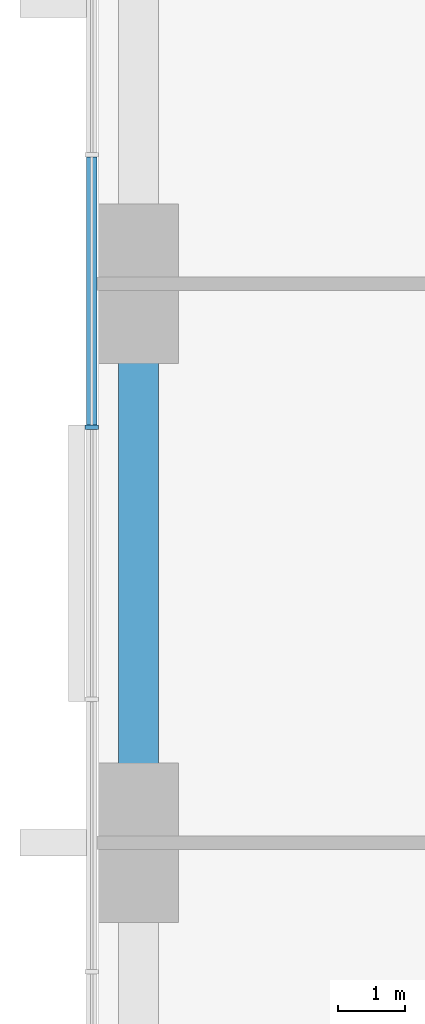
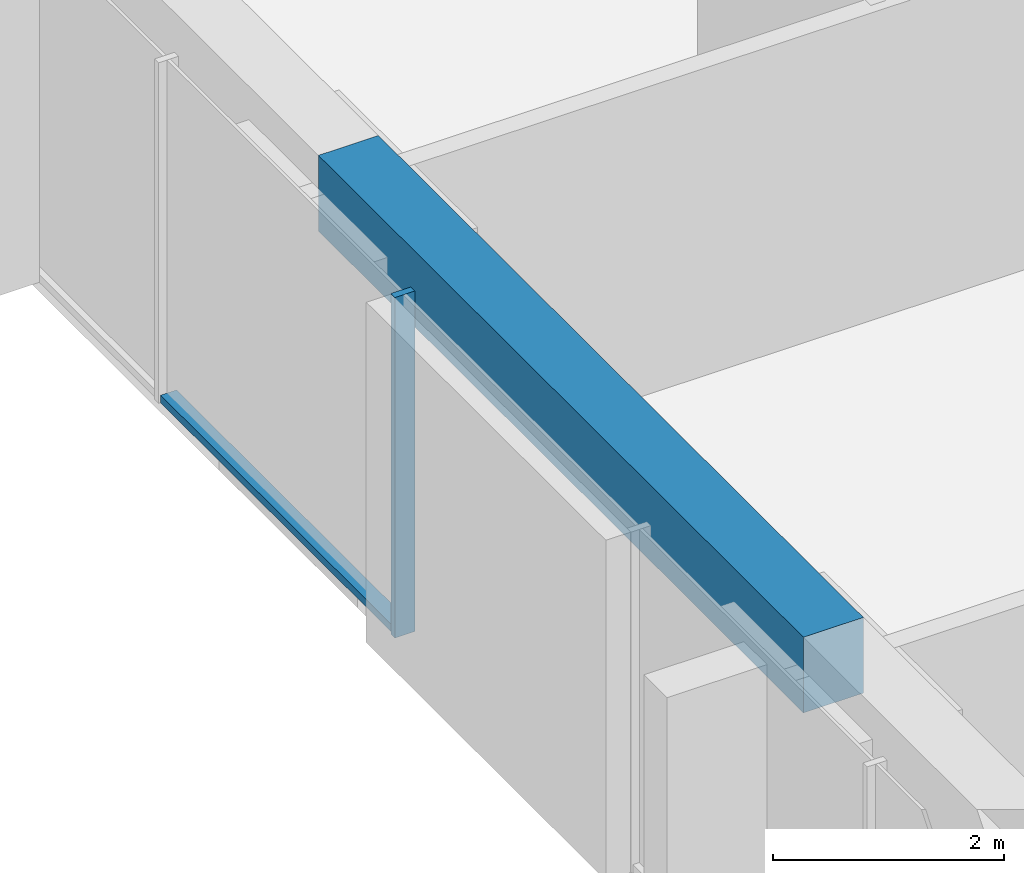
# One storey, part 3 of 13: 2 members, 1 beam, 1 element without a shape of its own.
"""IFC4 building model written with IfcOpenShell, lengths in metres."""

from ifc_helpers import new_model, si_unit, direction, frame, origin, origin_2d, place, context, subcontext, project, spatial, rectangle, extrude, material, material_profile, profile_set, type_object, element, aggregate, save


model = new_model("IFC4")

# Units and contexts
model_context = context("Model", 3, precision=1e-05, world=origin(), true_north=direction((0.0, 1.0)))
body_context = subcontext(model_context, "Body", "Model", "MODEL_VIEW")
ifc_project = project(units=[si_unit("LENGTHUNIT", "METRE"), si_unit("AREAUNIT", "SQUARE_METRE"), si_unit("VOLUMEUNIT", "CUBIC_METRE"), si_unit("PLANEANGLEUNIT", "RADIAN"), si_unit("MASSUNIT", "GRAM", prefix="KILO")], contexts=[model_context])

# Site, building, storey
site_placement = place(None, origin())
site = spatial("IfcSite", under=ifc_project, at=site_placement, CompositionType="ELEMENT")
building_placement = place(site_placement, origin())
building = spatial("IfcBuilding", under=site, at=building_placement, Name="Dunama Terrace Hotel", CompositionType="ELEMENT")
storey_placement = place(building_placement, frame((0.0, 0.0, 187.800048828125)))
storey = spatial("IfcBuildingStorey", under=building, at=storey_placement, Name="L48", CompositionType="ELEMENT", Elevation=187.800048828125)

# Curtain wall, members
ifc_material_1 = material(Name="Aluminium curtain wall system", Category="aluminium")
curtain_wall_type = type_object("IfcCurtainWallType", Name="Unitised fritted glass wall CW-C", PredefinedType="NOTDEFINED", material=ifc_material_1)
curtain_wall_placement = place(storey_placement, origin())
curtain_wall = element("IfcCurtainWall", 1, at=curtain_wall_placement, inside=storey, type_object=curtain_wall_type, Name="Unitised fritted glass wall CW-C L48", PredefinedType="NOTDEFINED")
ifc_material_2 = material(Name="Aluminium mullion", Category="aluminium")
ifc_material_profile_1 = material_profile(ifc_material_2, rectangle(XDim=0.070068359375, YDim=0.199951171875, at=origin_2d()), Name="CWC MULLION 70X200")
ifc_profile_set_1 = profile_set([ifc_material_profile_1], Name="Aluminium mullion")
member_type_1 = type_object("IfcMemberType", Name="CWC mullion 70x200", PredefinedType="MULLION", material=ifc_profile_set_1)
member_1_placement = place(storey_placement, frame((4.10009765625, 31.445068359375, 0.0), z_axis=(0.0, 0.0, 1.0), x_axis=(0.0, -1.0, 0.0)))
member_1 = element("IfcMember", 2, at=member_1_placement, type_object=member_type_1, Name="CWC mullion", PredefinedType="MULLION", context=body_context, shape_type="SweptSolid", body=[
    extrude(rectangle(XDim=0.070068359375, YDim=0.199951171875, at=origin_2d()), origin(), (0.0, 0.0, 1.0), 3.599853515625),
])
ifc_material_3 = material(Name="Aluminium transom", Category="aluminium")
ifc_material_profile_2 = material_profile(ifc_material_3, rectangle(XDim=0.159912109375, YDim=0.080078125, at=origin_2d()), Name="CWC TRANSOM 160X80")
ifc_profile_set_2 = profile_set([ifc_material_profile_2], Name="Aluminium transom")
member_type_2 = type_object("IfcMemberType", Name="CWC transom 160x80", PredefinedType="USERDEFINED", material=ifc_profile_set_2)
member_2_placement = place(storey_placement, frame((4.10009765625, 35.5009765625, 0.0400390625), z_axis=(0.0, -1.0, 0.0), x_axis=(1.0, 0.0, 0.0)))
member_2 = element("IfcMember", 3, at=member_2_placement, type_object=member_type_2, Name="CWC transom", ObjectType="TRANSOM", PredefinedType="USERDEFINED", context=body_context, shape_type="SweptSolid", body=[
    extrude(rectangle(XDim=0.159912109375, YDim=0.080078125, at=origin_2d()), origin(), (0.0, 0.0, 1.0), 4.02099609375),
])
aggregate(curtain_wall, [member_1, member_2])

# Beam
ifc_material_4 = material(Name="Concrete C40/50", Category="concrete")
ifc_material_profile_3 = material_profile(ifc_material_4, rectangle(XDim=0.60009765625, YDim=0.800048828125, at=origin_2d()), Name="RC 600x800")
ifc_profile_set_3 = profile_set([ifc_material_profile_3], Name="Concrete C40/50")
beam_type = type_object("IfcBeamType", Name="Edge beam RC 600x800", PredefinedType="SPANDREL", material=ifc_profile_set_3)
beam_placement = place(storey_placement, frame((4.800048828125, 25.199951171875, 3.199951171875), z_axis=(0.0, 1.0, 0.0), x_axis=(-1.0, 0.0, 0.0)))
element("IfcBeam", 4, at=beam_placement, inside=storey, type_object=beam_type, Name="Edge beam under L49", PredefinedType="SPANDREL", context=body_context, shape_type="SweptSolid", body=[
    extrude(rectangle(XDim=0.60009765625, YDim=0.800048828125, at=origin_2d()), origin(), (0.0, 0.0, 1.0), 8.400146484375),
])

save(model, "model.ifc")
